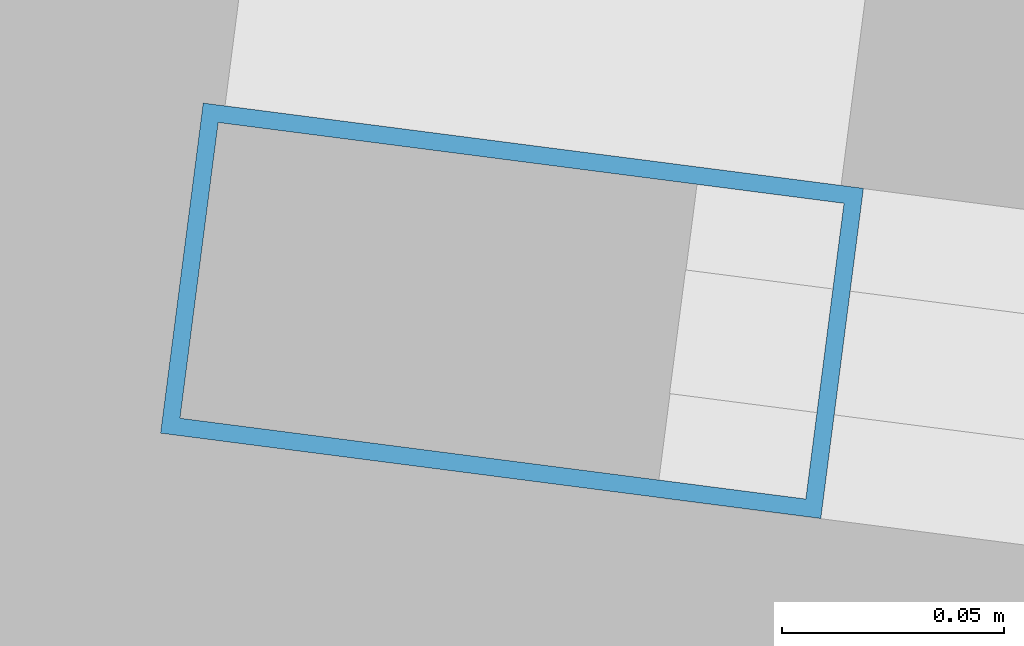
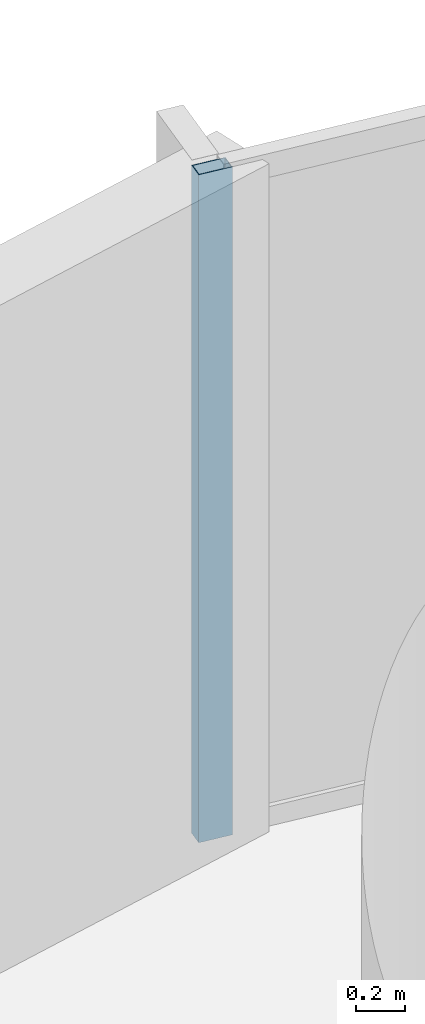
# One storey, part 20 of 31: 1 member, 1 element without a shape of its own.
"""IFC4 building model written with IfcOpenShell, lengths in metres."""

from ifc_helpers import new_model, si_unit, direction, frame, origin, origin_2d, place, context, subcontext, project, spatial, hollow_rectangle, extrude, material, layer, layer_set, material_profile, profile_set, type_object, element, aggregate, save


model = new_model("IFC4")

# Units and contexts
model_context = context("Model", 3, precision=1e-05, world=origin(), true_north=direction((0.0, 1.0)))
body_context = subcontext(model_context, "Body", "Model", "MODEL_VIEW")
ifc_project = project(units=[si_unit("LENGTHUNIT", "METRE"), si_unit("AREAUNIT", "SQUARE_METRE"), si_unit("VOLUMEUNIT", "CUBIC_METRE"), si_unit("PLANEANGLEUNIT", "RADIAN"), si_unit("MASSUNIT", "GRAM", prefix="KILO")], contexts=[model_context])

# Site, building, storey
site_placement = place(None, origin())
site = spatial("IfcSite", under=ifc_project, at=site_placement, CompositionType="ELEMENT")
building_placement = place(site_placement, origin())
building = spatial("IfcBuilding", under=site, at=building_placement, Name="Kazevale Care Tower and Concert Hall", CompositionType="ELEMENT")
storey_placement = place(building_placement, frame((0.0, 0.0, 63.60009765625)))
storey = spatial("IfcBuildingStorey", under=building, at=storey_placement, Name="L16", CompositionType="ELEMENT", Elevation=63.60009765625)

# Curtain wall, member
ifc_material_1 = material(Name="Aluminium 6063-T6 and Low-E Glass", Category="aluminium")
ifc_layer = layer(ifc_material_1, 0.179931640625)
ifc_layer_set = layer_set([ifc_layer], Name="Aluminium 6063-T6 and Low-E Glass")
curtain_wall_type = type_object("IfcCurtainWallType", Name="Convex Recessed Sunroom Curtain Wall CW-3", PredefinedType="NOTDEFINED", material=ifc_layer_set)
curtain_wall_placement = place(storey_placement, origin())
curtain_wall = element("IfcCurtainWall", 1, at=curtain_wall_placement, inside=storey, type_object=curtain_wall_type, Name="cw:L16:f16", PredefinedType="NOTDEFINED")
ifc_material_2 = material(Name="Aluminium 6063-T6", Category="aluminium")
ifc_material_profile = material_profile(ifc_material_2, hollow_rectangle(XDim=0.074951171875, YDim=0.14990234375, WallThickness=0.00390625, at=origin_2d()), Name="ALU75x150x4")
ifc_profile_set = profile_set([ifc_material_profile], Name="Aluminium 6063-T6")
member_type = type_object("IfcMemberType", Name="CW-3 Mullion ALU75x150x4", PredefinedType="MULLION", material=ifc_profile_set)
member_placement = place(storey_placement, frame((45.0771484375, 65.417236328125, 0.0), z_axis=(0.0, 0.0, 1.0), x_axis=(0.128086196538, 0.991763039368, 0.0)))
member = element("IfcMember", 2, at=member_placement, type_object=member_type, Name="CW-3 mullion 1", PredefinedType="MULLION", context=body_context, shape_type="SweptSolid", body=[
    extrude(hollow_rectangle(XDim=0.074951171875, YDim=0.14990234375, WallThickness=0.00390625, at=origin_2d()), origin(), (0.0, 0.0, 1.0), 3.35986328125),
])
aggregate(curtain_wall, [member])

save(model, "model.ifc")
